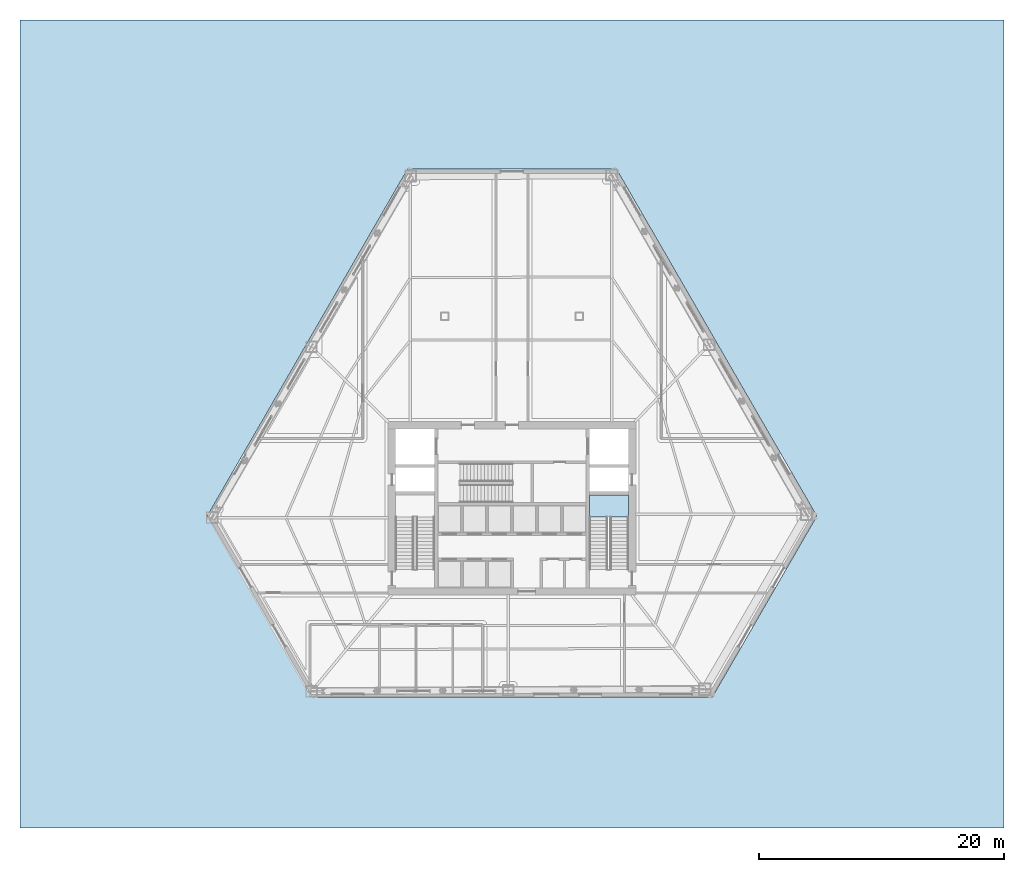
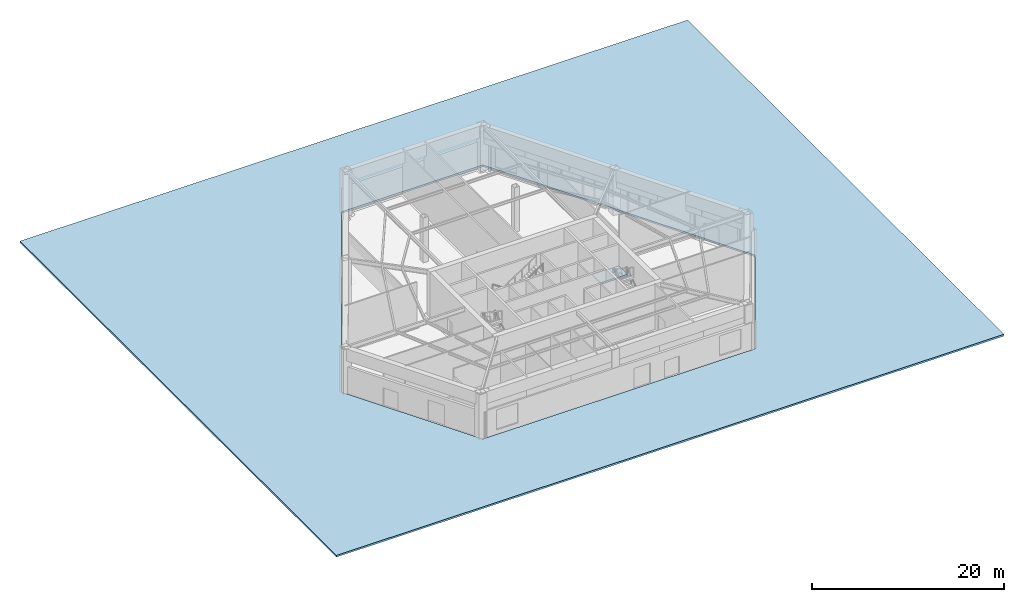
# One storey, part 10 of 20: 2 slabs, 1 element without a shape of its own.
"""IFC4 building model written with IfcOpenShell, lengths in metres."""

from ifc_helpers import new_model, si_unit, direction, frame, origin, place, context, subcontext, project, spatial, polyline, outline, extrude, material, layer, layer_set, type_object, element, aggregate, save


model = new_model("IFC4")

# Units and contexts
model_context = context("Model", 3, precision=1e-05, world=origin(), true_north=direction((0.0, 1.0)))
body_context = subcontext(model_context, "Body", "Model", "MODEL_VIEW")
ifc_project = project(units=[si_unit("LENGTHUNIT", "METRE"), si_unit("AREAUNIT", "SQUARE_METRE"), si_unit("VOLUMEUNIT", "CUBIC_METRE"), si_unit("PLANEANGLEUNIT", "RADIAN"), si_unit("MASSUNIT", "GRAM", prefix="KILO")], contexts=[model_context])

# Site, building, storey
site_placement = place(None, origin())
site = spatial("IfcSite", under=ifc_project, at=site_placement, CompositionType="ELEMENT")
building_placement = place(site_placement, origin())
building = spatial("IfcBuilding", under=site, at=building_placement, Name="Kavelnor Concourse Tower", CompositionType="ELEMENT")
storey_placement = place(building_placement, origin())
storey = spatial("IfcBuildingStorey", under=building, at=storey_placement, Name="L00", CompositionType="ELEMENT", Elevation=0.0)

# Stair, slab
ifc_material = material(Name="Concrete C40/50", Category="concrete")
stair_type = type_object("IfcStairType", Name="STR-CORE-1500", PredefinedType="HALF_TURN_STAIR", material=ifc_material)
stair_placement = place(storey_placement, origin())
stair = element("IfcStair", 1, at=stair_placement, inside=storey, type_object=stair_type, Name="L00 ST2", PredefinedType="HALF_TURN_STAIR")
ifc_layer_1 = layer(ifc_material, 0.199951171875, Name="Concrete C40/50")
ifc_layer_set_1 = layer_set([ifc_layer_1], Name="Concrete C40/50")
slab_type_1 = type_object("IfcSlabType", Name="SLB-LANDING-200", PredefinedType="LANDING", material=ifc_layer_set_1)
slab_1_placement = place(storey_placement, frame((0.0, 0.0, 2.800048828125)))
slab_1 = element("IfcSlab", 2, at=slab_1_placement, type_object=slab_type_1, Name="ST2 landing 1", PredefinedType="LANDING", context=body_context, shape_type="SweptSolid", body=[
    extrude(outline(polyline([(47.52001953125, 15.375), (47.52001953125, 17.199951171875), (44.320068359375, 17.199951171875), (44.320068359375, 15.375), (47.52001953125, 15.375)])), origin(), (0.0, 0.0, 1.0), 0.199951171875),
])
aggregate(stair, [slab_1])

# Slab
ifc_layer_2 = layer(ifc_material, 0.219970703125, Name="Concrete C40/50")
ifc_layer_set_2 = layer_set([ifc_layer_2], Name="Concrete C40/50")
slab_type_2 = type_object("IfcSlabType", Name="SLB-PLAZA-PAVING-220", PredefinedType="BASESLAB", material=ifc_layer_set_2)
slab_2_placement = place(storey_placement, frame((0.0, 0.0, -0.219970703125)))
element("IfcSlab", 3, at=slab_2_placement, inside=storey, type_object=slab_type_2, Name="L00 Street Forecourt Paving Apron", PredefinedType="BASESLAB", context=body_context, shape_type="SweptSolid", body=[
    extrude(outline(polyline([(-2.199951171875, -10.0), (78.199951171875, -10.0), (78.199951171875, 56.0), (-2.199951171875, 56.0), (-2.199951171875, -10.0)]), holes=[polyline([(46.5244140625, 43.83544921875), (29.4755859375, 43.83544921875), (13.095703125, 15.464599609375), (21.6201171875, 0.699951171875), (54.3798828125, 0.699951171875), (62.904296875, 15.464599609375), (46.5244140625, 43.83544921875)])]), origin(), (0.0, 0.0, 1.0), 0.219970703125),
])

save(model, "model.ifc")
